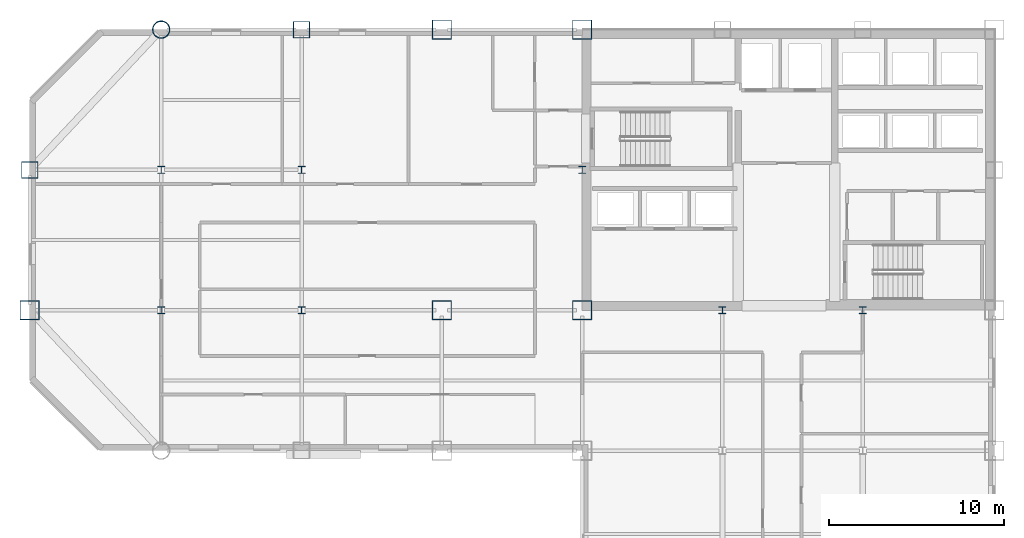
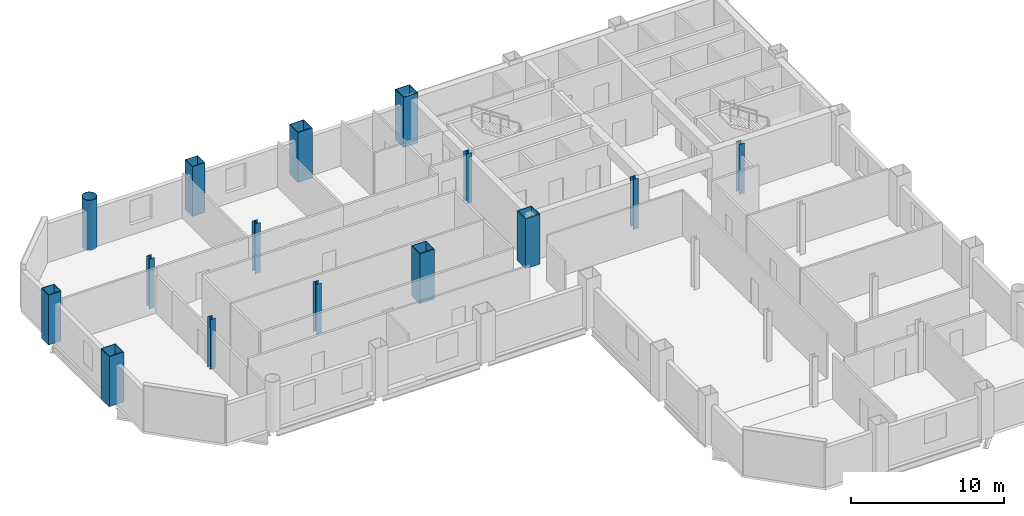
# One storey, part 3 of 10: 15 columns.
"""IFC4 building model written with IfcOpenShell, lengths in metres."""

from ifc_helpers import new_model, si_unit, direction, frame, origin, origin_2d, place, context, subcontext, project, spatial, hollow_rectangle, hollow_circle, i_section, extrude, material, material_profile, profile_set, type_object, element, save


model = new_model("IFC4")

# Units and contexts
model_context = context("Model", 3, precision=1e-05, world=origin(), true_north=direction((0.0, 1.0)))
body_context = subcontext(model_context, "Body", "Model", "MODEL_VIEW")
ifc_project = project(units=[si_unit("LENGTHUNIT", "METRE"), si_unit("AREAUNIT", "SQUARE_METRE"), si_unit("VOLUMEUNIT", "CUBIC_METRE"), si_unit("PLANEANGLEUNIT", "RADIAN"), si_unit("MASSUNIT", "GRAM", prefix="KILO")], contexts=[model_context])

# Site, building, storey
site_placement = place(None, origin())
site = spatial("IfcSite", under=ifc_project, at=site_placement, CompositionType="ELEMENT")
building_placement = place(site_placement, origin())
building = spatial("IfcBuilding", under=site, at=building_placement, Name="Qianrong Seaharbour Tower", CompositionType="ELEMENT")
storey_placement = place(building_placement, frame((0.0, 0.0, 191.0)))
storey = spatial("IfcBuildingStorey", under=building, at=storey_placement, Name="L46", CompositionType="ELEMENT", Elevation=191.0)

# Columns
ifc_material = material(Name="Structural steel SN490B", Category="steel")
ifc_material_profile_1 = material_profile(ifc_material, hollow_rectangle(XDim=1.10009765625, YDim=1.10009765625, WallThickness=0.0400390625, at=origin_2d()), Name="BOX1100x1100x40")
ifc_profile_set_1 = profile_set([ifc_material_profile_1], Name="Structural steel SN490B")
column_type_1 = type_object("IfcColumnType", Name="COL-CFT-1100", PredefinedType="COLUMN", material=ifc_profile_set_1)
for number, where, z_axis, x_axis, name in (
    (1, (9.0, 36.0, 0.0), (0.0, 0.0, 1.0), (1.0, 0.0, 0.0), "L46 Column MC-3 at G2/GF"),
    (2, (32.5, 36.0, 0.0), (0.0, 0.0, 1.0), (1.0, 0.0, 0.0), "L46 Column MC-3 at G5/GF"),
    (3, (32.5, 52.0, 0.0), (0.0, 0.0, 1.0), (1.0, 0.0, 0.0), "L46 Column MC-3 at G5/GH"),
    (4, (40.5, 36.0, 0.0), (0.0, 0.0, 1.0), (1.0, 0.0, 0.0), "L46 Column MC-3 at G6/GF"),
    (5, (40.5, 52.0, 0.0), (0.0, 0.0, 1.0), (1.0, 0.0, 0.0), "L46 Column MC-3 at G6/GH"),
):
    element("IfcColumn", number, at=place(storey_placement, frame(where, z_axis=z_axis, x_axis=x_axis)), inside=storey, type_object=column_type_1, Name=name, PredefinedType="COLUMN", context=body_context, shape_type="SweptSolid", body=[
        extrude(hollow_rectangle(XDim=1.10009765625, YDim=1.10009765625, WallThickness=0.0400390625, at=origin_2d()), origin(), (0.0, 0.0, 1.0), 4.0),
    ])
ifc_material_profile_2 = material_profile(ifc_material, hollow_circle(Radius=0.5, WallThickness=0.035888671875, at=origin_2d()), Name="CHS1000x36")
ifc_profile_set_2 = profile_set([ifc_material_profile_2], Name="Structural steel SN490B")
column_type_2 = type_object("IfcColumnType", Name="COL-CHS-1000", PredefinedType="COLUMN", material=ifc_profile_set_2)
column_placement = place(storey_placement, frame((16.5, 52.0, 0.0), z_axis=(0.0, 0.0, 1.0), x_axis=(1.0, 0.0, 0.0)))
element("IfcColumn", 6, at=column_placement, inside=storey, type_object=column_type_2, Name="L46 Column CC-2 at G3/GH", PredefinedType="COLUMN", context=body_context, shape_type="SweptSolid", body=[
    extrude(hollow_circle(Radius=0.5, WallThickness=0.035888671875, at=origin_2d()), origin(), (0.0, 0.0, 1.0), 4.0),
])
ifc_material_profile_3 = material_profile(ifc_material, i_section(OverallWidth=0.39990234375, OverallDepth=0.39990234375, WebThickness=0.012939453125, FlangeThickness=0.02099609375, FilletRadius=0.02197265625, at=origin_2d()), Name="H400x400x13x21")
ifc_profile_set_3 = profile_set([ifc_material_profile_3], Name="Structural steel SN490B")
column_type_3 = type_object("IfcColumnType", Name="COL-INT-H400", PredefinedType="COLUMN", material=ifc_profile_set_3)
for number, where, z_axis, x_axis, name in (
    (7, (16.5, 36.0, 0.0), (0.0, 0.0, 1.0), (1.0, 0.0, 0.0), "L46 Column IC-3 at G3/GF"),
    (8, (16.5, 44.0, 0.0), (0.0, 0.0, 1.0), (1.0, 0.0, 0.0), "L46 Column IC-3 at G3/GG"),
    (9, (24.5, 36.0, 0.0), (0.0, 0.0, 1.0), (1.0, 0.0, 0.0), "L46 Column IC-3 at G4/GF"),
    (10, (24.5, 44.0, 0.0), (0.0, 0.0, 1.0), (1.0, 0.0, 0.0), "L46 Column IC-3 at G4/GG"),
    (11, (40.5, 44.0, 0.0), (0.0, 0.0, 1.0), (1.0, 0.0, 0.0), "L46 Column IC-3 at G6/GG"),
    (12, (48.5, 36.0, 0.0), (0.0, 0.0, 1.0), (1.0, 0.0, 0.0), "L46 Column IC-3 at G7/GF"),
    (13, (56.5, 36.0, 0.0), (0.0, 0.0, 1.0), (1.0, 0.0, 0.0), "L46 Column IC-3 at G8/GF"),
):
    element("IfcColumn", number, at=place(storey_placement, frame(where, z_axis=z_axis, x_axis=x_axis)), inside=storey, type_object=column_type_3, Name=name, PredefinedType="COLUMN", context=body_context, shape_type="SweptSolid", body=[
        extrude(i_section(OverallWidth=0.39990234375, OverallDepth=0.39990234375, WebThickness=0.012939453125, FlangeThickness=0.02099609375, FilletRadius=0.02197265625, at=origin_2d()), origin(), (0.0, 0.0, 1.0), 4.0),
    ])
ifc_material_profile_4 = material_profile(ifc_material, hollow_rectangle(XDim=0.949951171875, YDim=0.949951171875, WallThickness=0.035888671875, at=origin_2d()), Name="BOX950x950x36")
ifc_profile_set_4 = profile_set([ifc_material_profile_4], Name="Structural steel SN490B")
column_type_4 = type_object("IfcColumnType", Name="COL-PER-950", PredefinedType="COLUMN", material=ifc_profile_set_4)
for number, where, z_axis, x_axis, name in (
    (14, (9.0, 44.0, 0.0), (0.0, 0.0, 1.0), (1.0, 0.0, 0.0), "L46 Column PC-2 at G2/GG"),
    (15, (24.5, 52.0, 0.0), (0.0, 0.0, 1.0), (1.0, 0.0, 0.0), "L46 Column PC-2 at G4/GH"),
):
    element("IfcColumn", number, at=place(storey_placement, frame(where, z_axis=z_axis, x_axis=x_axis)), inside=storey, type_object=column_type_4, Name=name, PredefinedType="COLUMN", context=body_context, shape_type="SweptSolid", body=[
        extrude(hollow_rectangle(XDim=0.949951171875, YDim=0.949951171875, WallThickness=0.035888671875, at=origin_2d()), origin(), (0.0, 0.0, 1.0), 4.0),
    ])

save(model, "model.ifc")
